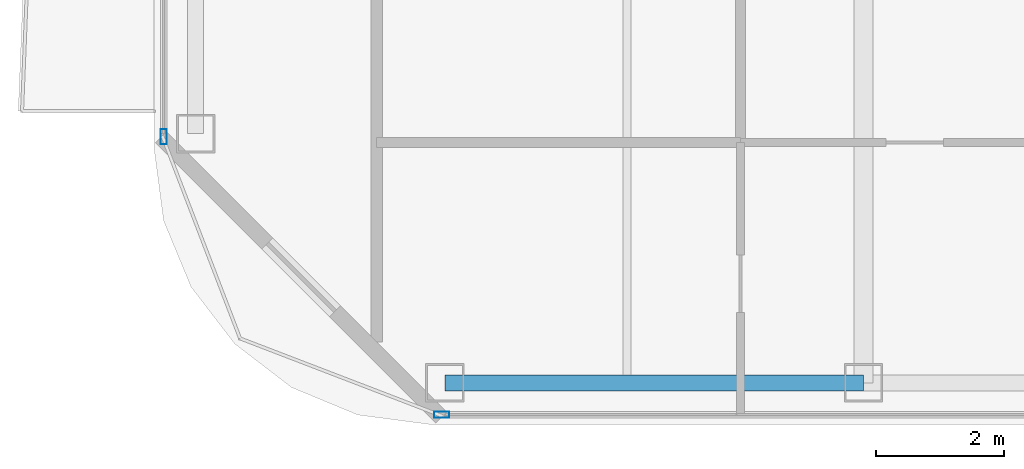
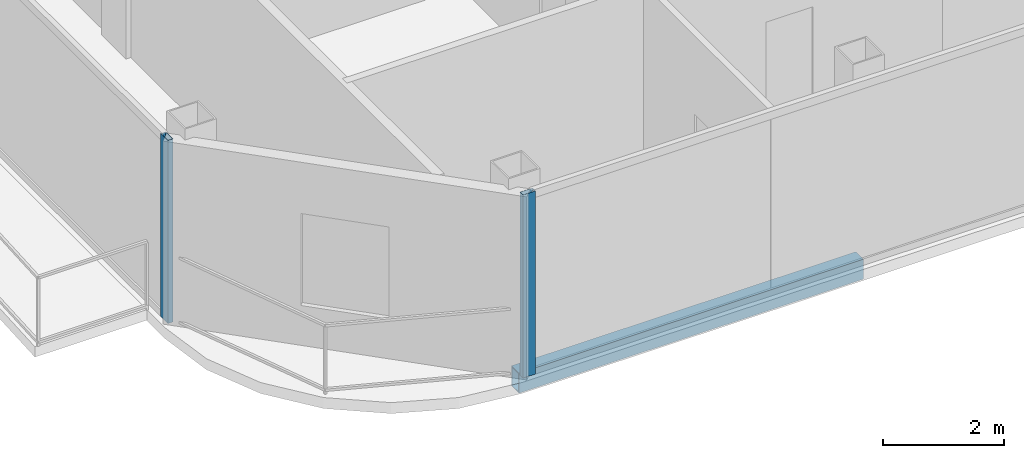
# One storey, part 2 of 27: 2 members, 1 beam, 2 elements without a shape of their own.
"""IFC4 building model written with IfcOpenShell, lengths in metres."""

import ifcopenshell
import ifcopenshell.guid

model = None  # the IFC model being written
_history = None  # IfcOwnerHistory: only IFC2X3 demands one
_inside = {}  # id of a spatial element -> (the spatial element, [elements in it])
_under = {}  # id of a project, library or spatial element -> (it, [spatial elements below it])
_declared = {}  # id of a project -> (the project, [libraries it declares])
_typed = {}  # id of a type object -> (the type object, [elements of that type])
_made_of = {}  # id of a material, layer set ... -> (it, [elements and type objects made of it])


def new_model(schema):
    """Start an empty IFC model of exactly this schema.

    Asked for "IFC4X3", IfcOpenShell would pick the latest addendum, in which some entities
    have other attributes; the version numbers below select the first issue.
    IFC2X3 requires an IfcOwnerHistory on every rooted entity: one is made here for all.
    """
    global model, _history
    if schema == "IFC4X3":
        model = ifcopenshell.file(schema_version=(4, 3, 0, 0))
    else:
        model = ifcopenshell.file(schema=schema)
    _inside.clear()
    _under.clear()
    _declared.clear()
    _typed.clear()
    _made_of.clear()
    _history = None
    if model.schema == "IFC2X3":
        org = make("IfcOrganization", Name="unknown")
        user = make(
            "IfcPersonAndOrganization",
            ThePerson=make("IfcPerson", FamilyName="unknown"),
            TheOrganization=org,
        )
        app = make(
            "IfcApplication",
            ApplicationDeveloper=org,
            Version="unknown",
            ApplicationFullName="unknown",
            ApplicationIdentifier="unknown",
        )
        _history = make(
            "IfcOwnerHistory",
            OwningUser=user,
            OwningApplication=app,
            ChangeAction="ADDED",
            CreationDate=0,
        )
    return model


def make(cls, **values):
    """One entity of the class cls with the attributes given. An attribute that is None is left unset."""
    return model.create_entity(
        cls, **{name: value for name, value in values.items() if value is not None}
    )


def rooted(cls, **values):
    """An entity with a GlobalId (a new one), such as an element, a storey or a relation."""
    return make(cls, GlobalId=ifcopenshell.guid.new(), OwnerHistory=_history, **values)


def si_unit(unit_type, name, prefix=None):
    """IfcSIUnit, for example si_unit("LENGTHUNIT", "METRE", prefix="MILLI")."""
    return make("IfcSIUnit", UnitType=unit_type, Prefix=prefix, Name=name)


def assignment(units):
    """IfcUnitAssignment: the units of a project."""
    return None if units is None else make("IfcUnitAssignment", Units=units)


def point(xyz):
    """IfcCartesianPoint."""
    return None if xyz is None else make("IfcCartesianPoint", Coordinates=xyz)


def direction(xyz):
    """IfcDirection."""
    return None if xyz is None else make("IfcDirection", DirectionRatios=xyz)


def frame(location, z_axis=None, x_axis=None):
    """IfcAxis2Placement3D, a coordinate frame: its origin and axes. An axis left out is left unset."""
    return make(
        "IfcAxis2Placement3D",
        Location=point(location),
        Axis=direction(z_axis),
        RefDirection=direction(x_axis),
    )


def frame_2d(location, x_axis=None):
    """IfcAxis2Placement2D, a coordinate frame in the plane: its origin and x axis."""
    return make(
        "IfcAxis2Placement2D", Location=point(location), RefDirection=direction(x_axis)
    )


def origin():
    """The frame at (0, 0, 0) with its axes left unset."""
    return frame((0.0, 0.0, 0.0))


def origin_2d():
    """The frame at (0, 0) in the plane with its x axis left unset."""
    return frame_2d((0.0, 0.0))


def place(relative_to, where):
    """IfcLocalPlacement: puts the frame where relative to a parent placement (None: the world)."""
    return make(
        "IfcLocalPlacement", PlacementRelTo=relative_to, RelativePlacement=where
    )


def context(
    kind, dimensions, precision=None, world=None, true_north=None, identifier=None
):
    """IfcGeometricRepresentationContext, for example the 3D "Model" context."""
    return make(
        "IfcGeometricRepresentationContext",
        ContextIdentifier=identifier,
        ContextType=kind,
        CoordinateSpaceDimension=dimensions,
        Precision=precision,
        WorldCoordinateSystem=world,
        TrueNorth=true_north,
    )


def subcontext(parent, identifier, kind, view, scale=None):
    """IfcGeometricRepresentationSubContext, for example "Body" below "Model"."""
    return make(
        "IfcGeometricRepresentationSubContext",
        ContextIdentifier=identifier,
        ContextType=kind,
        ParentContext=parent,
        TargetScale=scale,
        TargetView=view,
    )


def project(units=None, contexts=None):
    """IfcProject with its units and contexts."""
    return rooted(
        "IfcProject",
        Name="project",
        RepresentationContexts=contexts,
        UnitsInContext=assignment(units),
    )


def spatial(cls, under=None, at=None, **own):
    """A site, building, storey or space (cls), placed at a placement, below another one or the project."""
    s = rooted(cls, ObjectPlacement=at, **own)
    if under is not None:
        _under.setdefault(under.id(), (under, []))[1].append(s)
    return s


def profile(cls, at=None, kind="AREA", **sizes):
    """A parametric profile (cls). Its sizes go by their IFC names, for example OverallWidth=200.0."""
    return make(cls, ProfileType=kind, Position=at, **sizes)


def hollow_rectangle(**sizes):
    """IfcRectangleHollowProfileDef."""
    return profile("IfcRectangleHollowProfileDef", **sizes)


def extrude(swept, where, along, depth):
    """IfcExtrudedAreaSolid: the profile swept, set in the frame where, extruded along a direction by depth."""
    return make(
        "IfcExtrudedAreaSolid",
        SweptArea=swept,
        Position=where,
        ExtrudedDirection=direction(along),
        Depth=depth,
    )


def shape(context_of_items, identifier, shape_type, items):
    """IfcShapeRepresentation: the items that make up one representation, for example the "Body"."""
    return make(
        "IfcShapeRepresentation",
        ContextOfItems=context_of_items,
        RepresentationIdentifier=identifier,
        RepresentationType=shape_type,
        Items=items,
    )


def material(Name=None, Category=None):
    """IfcMaterial."""
    return make("IfcMaterial", Name=Name, Category=Category)


def layer(
    of_material, thickness, ventilated=None, Name=None, Category=None, Priority=None
):
    """IfcMaterialLayer: one layer of a wall or slab, of a material (None: an air gap)."""
    return make(
        "IfcMaterialLayer",
        Material=of_material,
        LayerThickness=thickness,
        IsVentilated=ventilated,
        Name=Name,
        Category=Category,
        Priority=Priority,
    )


def layer_set(layers, Name=None):
    """IfcMaterialLayerSet."""
    return make("IfcMaterialLayerSet", MaterialLayers=layers, LayerSetName=Name)


def material_profile(
    of_material, cross_section, Name=None, Category=None, Priority=None
):
    """IfcMaterialProfile: a cross section and its material."""
    return make(
        "IfcMaterialProfile",
        Name=Name,
        Material=of_material,
        Profile=cross_section,
        Priority=Priority,
        Category=Category,
    )


def profile_set(profiles, Name=None, composite=None):
    """IfcMaterialProfileSet."""
    return make(
        "IfcMaterialProfileSet",
        Name=Name,
        MaterialProfiles=profiles,
        CompositeProfile=composite,
    )


def made_of(thing, what):
    """Note that an element or type object is made of a material, layer set ...; save() writes the relation."""
    if what is not None:
        _made_of.setdefault(what.id(), (what, []))[1].append(thing)
    return thing


def type_object(cls, material=None, **own):
    """A type object (cls), such as IfcWallType, which elements share."""
    return made_of(rooted(cls, **own), material)


def element(
    cls,
    number,
    at=None,
    inside=None,
    cuts=None,
    type_object=None,
    material=None,
    context=None,
    identifier="Body",
    shape_type=None,
    held_by="IfcProductDefinitionShape",
    body=None,
    shapes=None,
    **own,
):
    """One element of the class cls, such as IfcWall. Its Tag is "e" and its number.

    at: its placement. inside: the storey or other place that contains it. cuts: it is an
    opening in that element (IfcRelVoidsElement). A single representation is given by context,
    identifier, shape_type and body (its items); several are given by shapes. held_by: the class
    of the entity that holds the representations. save() writes the other relations.
    """
    e = rooted(cls, Tag="e%d" % number, ObjectPlacement=at, **own)
    if body is not None:
        shapes = [shape(context, identifier, shape_type, body)]
    if shapes is not None:
        e.Representation = make(held_by, Representations=shapes)
    if inside is not None:
        _inside.setdefault(inside.id(), (inside, []))[1].append(e)
    if cuts is not None:
        rooted(
            "IfcRelVoidsElement", RelatingBuildingElement=cuts, RelatedOpeningElement=e
        )
    if type_object is not None:
        _typed.setdefault(type_object.id(), (type_object, []))[1].append(e)
    return made_of(e, material)


def aggregate(whole, parts):
    """IfcRelAggregates: a whole, such as a stair, and the parts it consists of."""
    return rooted("IfcRelAggregates", RelatingObject=whole, RelatedObjects=parts)


def save(model, path):
    """Write the relations noted so far, then the file.

    IfcRelAggregates (storeys below a building ...), IfcRelContainedInSpatialStructure (elements
    in a storey), IfcRelDefinesByType, IfcRelAssociatesMaterial and IfcRelDeclares: one each for
    every whole, place, type object, material and project.
    """
    for whole, parts in _under.values():
        aggregate(whole, parts)
    for where, things in _inside.values():
        rooted(
            "IfcRelContainedInSpatialStructure",
            RelatedElements=things,
            RelatingStructure=where,
        )
    for kind, things in _typed.values():
        rooted("IfcRelDefinesByType", RelatedObjects=things, RelatingType=kind)
    for what, things in _made_of.values():
        rooted("IfcRelAssociatesMaterial", RelatedObjects=things, RelatingMaterial=what)
    for by, libraries in _declared.values():
        rooted("IfcRelDeclares", RelatingContext=by, RelatedDefinitions=libraries)
    model.write(path)


model = new_model("IFC4")

# Units and contexts
model_context = context("Model", 3, precision=1e-05, world=origin(), true_north=direction((0.0, 1.0)))
body_context = subcontext(model_context, "Body", "Model", "MODEL_VIEW")
ifc_project = project(units=[si_unit("LENGTHUNIT", "METRE"), si_unit("AREAUNIT", "SQUARE_METRE"), si_unit("VOLUMEUNIT", "CUBIC_METRE"), si_unit("PLANEANGLEUNIT", "RADIAN"), si_unit("MASSUNIT", "GRAM", prefix="KILO")], contexts=[model_context])

# Site, building, storey
site_placement = place(None, origin())
site = spatial("IfcSite", under=ifc_project, at=site_placement, CompositionType="ELEMENT")
building_placement = place(site_placement, origin())
building = spatial("IfcBuilding", under=site, at=building_placement, Name="Khorvyn Point Tower", CompositionType="ELEMENT")
storey_placement = place(building_placement, frame((0.0, 0.0, 246.89990234375)))
storey = spatial("IfcBuildingStorey", under=building, at=storey_placement, Name="L60", CompositionType="ELEMENT", Elevation=246.89990234375)

# Curtain wall, member
ifc_material_1 = material(Name="Anodised aluminium 6063-T6 and laminated Low-E glass", Category="aluminium")
ifc_layer = layer(ifc_material_1, 0.18994140625)
ifc_layer_set = layer_set([ifc_layer], Name="Stick-Built Acoustic Curtain Wall CW-SYS-03")
curtain_wall_type = type_object("IfcCurtainWallType", Name="Stick-Built Acoustic Curtain Wall CW-SYS-03", PredefinedType="NOTDEFINED", material=ifc_layer_set)
curtain_wall_1_placement = place(storey_placement, origin())
curtain_wall_1 = element("IfcCurtainWall", 1, at=curtain_wall_1_placement, inside=storey, type_object=curtain_wall_type, Name="Curtain Wall", PredefinedType="NOTDEFINED")
ifc_material_2 = material(Name="Anodised aluminium 6063-T6", Category="aluminium")
ifc_material_profile_1 = material_profile(ifc_material_2, hollow_rectangle(XDim=0.10009765625, YDim=0.239990234375, WallThickness=0.0048828125, at=origin_2d()))
ifc_profile_set_1 = profile_set([ifc_material_profile_1], Name="Anodised aluminium 6063-T6 ALU-MUL-100x240")
member_type = type_object("IfcMemberType", Name="Anodised Aluminium 6063-T6 Mullion ALU-MUL-100x240", PredefinedType="MULLION", material=ifc_profile_set_1)
member_1_placement = place(storey_placement, frame((-14.0, -28.64990234375, 0.0), z_axis=(0.0, 0.0, 1.0), x_axis=(0.0, -1.0, 0.0)))
member_1 = element("IfcMember", 2, at=member_1_placement, type_object=member_type, Name="Transom", PredefinedType="MULLION", context=body_context, shape_type="SweptSolid", body=[
    extrude(hollow_rectangle(XDim=0.10009765625, YDim=0.239990234375, WallThickness=0.0048828125, at=origin_2d()), origin(), (0.0, 0.0, 1.0), 3.68017578125),
])
aggregate(curtain_wall_1, [member_1])

curtain_wall_2_placement = place(storey_placement, origin())
curtain_wall_2 = element("IfcCurtainWall", 3, at=curtain_wall_2_placement, inside=storey, type_object=curtain_wall_type, Name="Curtain Wall", PredefinedType="NOTDEFINED")
member_2_placement = place(storey_placement, frame((-18.35009765625, -24.300048828125, 0.0), z_axis=(0.0, 0.0, 1.0), x_axis=(-1.0, 0.0, 0.0)))
member_2 = element("IfcMember", 4, at=member_2_placement, type_object=member_type, Name="Transom", PredefinedType="MULLION", context=body_context, shape_type="SweptSolid", body=[
    extrude(hollow_rectangle(XDim=0.10009765625, YDim=0.239990234375, WallThickness=0.0048828125, at=origin_2d()), origin(), (0.0, 0.0, 1.0), 3.68017578125),
])
aggregate(curtain_wall_2, [member_2])

# Beam
ifc_material_3 = material(Name="Steel S355", Category="steel")
ifc_material_profile_2 = material_profile(ifc_material_3, hollow_rectangle(XDim=0.25, YDim=0.39990234375, WallThickness=0.01611328125, at=origin_2d()))
ifc_profile_set_2 = profile_set([ifc_material_profile_2], Name="Steel S355 RHS400x250x16")
beam_type = type_object("IfcBeamType", Name="Steel S355 Spandrel RHS400x250x16", PredefinedType="SPANDREL", material=ifc_profile_set_2)
beam_placement = place(storey_placement, frame((-13.949951171875, -28.14990234375, -0.419921875), z_axis=(1.0, 0.0, 0.0), x_axis=(0.0, 1.0, 0.0)))
element("IfcBeam", 5, at=beam_placement, inside=storey, type_object=beam_type, Name="Beam", PredefinedType="SPANDREL", context=body_context, shape_type="SweptSolid", body=[
    extrude(hollow_rectangle(XDim=0.25, YDim=0.39990234375, WallThickness=0.01611328125, at=origin_2d()), origin(), (0.0, 0.0, 1.0), 6.550048828125),
])

save(model, "model.ifc")
